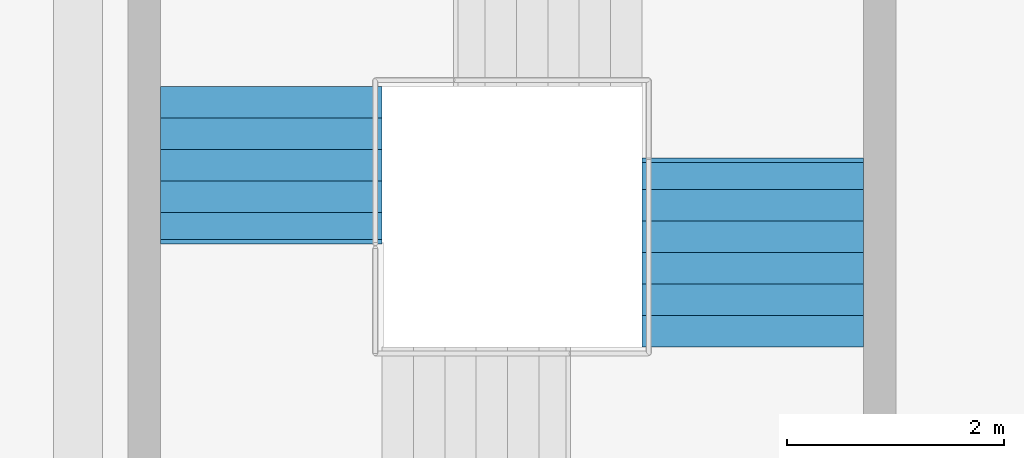
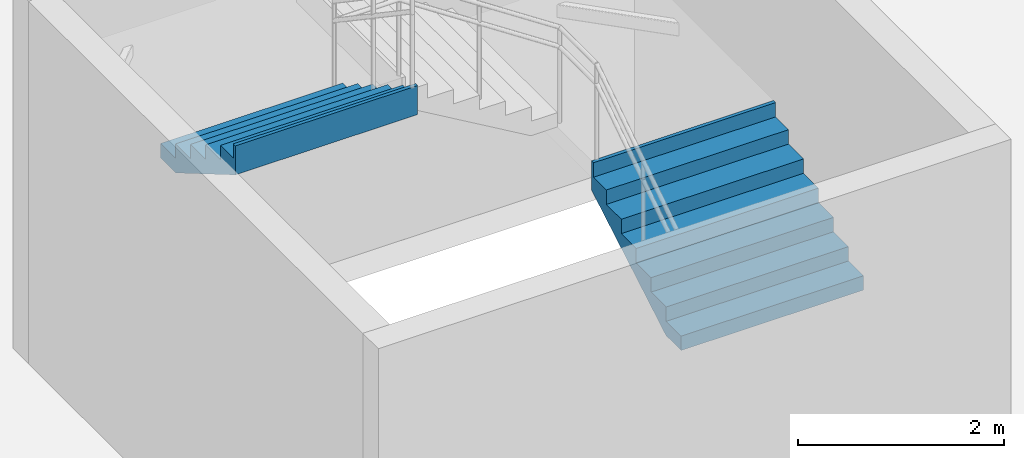
# One storey, part 21 of 32: 2 stair flights, 1 element without a shape of its own.
"""IFC4 building model written with IfcOpenShell, lengths in metres."""

from ifc_helpers import new_model, si_unit, direction, frame, origin, place, context, subcontext, project, spatial, triangles, material, type_object, element, aggregate, save


model = new_model("IFC4")

# Units and contexts
model_context = context("Model", 3, precision=1e-05, world=origin(), true_north=direction((0.0, 1.0)))
body_context = subcontext(model_context, "Body", "Model", "MODEL_VIEW")
ifc_project = project(units=[si_unit("LENGTHUNIT", "METRE"), si_unit("AREAUNIT", "SQUARE_METRE"), si_unit("VOLUMEUNIT", "CUBIC_METRE"), si_unit("PLANEANGLEUNIT", "RADIAN"), si_unit("MASSUNIT", "GRAM", prefix="KILO")], contexts=[model_context])

# Site, building, storey
site_placement = place(None, origin())
site = spatial("IfcSite", under=ifc_project, at=site_placement, CompositionType="ELEMENT")
building_placement = place(site_placement, origin())
building = spatial("IfcBuilding", under=site, at=building_placement, Name="Sillaruma Civic Art Gallery", CompositionType="ELEMENT")
storey_placement = place(building_placement, frame((0.0, 0.0, -4.590087890625)))
storey = spatial("IfcBuildingStorey", under=building, at=storey_placement, Name="B01", CompositionType="ELEMENT", Elevation=-4.590087890625)

# Stair, stair flights
ifc_material = material(Name="Concrete H35 (35 MPa)", Category="concrete")
stair_type = type_object("IfcStairType", Name="STR-4F-27", PredefinedType="USERDEFINED", material=ifc_material)
stair_placement = place(storey_placement, origin())
stair = element("IfcStair", 1, at=stair_placement, inside=storey, type_object=stair_type, Name="Protected Exit Stair ST-01 (West Wing) (B01)", ObjectType="THREE_RETURN_STAIR", PredefinedType="USERDEFINED")
stair_flight_type_1 = type_object("IfcStairFlightType", Name="SFL-STR-6", PredefinedType="STRAIGHT", material=ifc_material)
stair_flight_1_placement = place(storey_placement, frame((26.580078125, 105.139892578125, 3.570068359375), z_axis=(0.0, 0.0, 1.0), x_axis=(0.0, -1.0, 0.0)))
stair_flight_1 = element("IfcStairFlight", 2, at=stair_flight_1_placement, type_object=stair_flight_type_1, Name="ST-01 flight 4", NumberOfRisers=6, NumberOfTreads=5, PredefinedType="STRAIGHT", RiserHeight=0.17, TreadLength=0.29, context=body_context, shape_type="Tessellation", body=[
    triangles([(0.0, -1.02001953125, 0.0), (0.29, -1.02001953125, 0.0), (0.296365, -1.02001953125, 0.0), (0.58, -1.02001953125, 0.166269), (0.87, -1.02001953125, 0.336269), (1.16, -1.02001953125, 0.506269), (1.409951, -1.02001953125, 0.652792), (1.449951, -1.02001953125, 0.67624), (1.449951, -1.02001953125, 1.02), (1.409951, -1.02001953125, 1.02), (1.409951, -1.02001953125, 0.85), (1.16, -1.02001953125, 0.85), (1.16, -1.02001953125, 0.68), (0.87, -1.02001953125, 0.68), (0.87, -1.02001953125, 0.51), (0.58, -1.02001953125, 0.51), (0.58, -1.02001953125, 0.34), (0.296365, -1.02001953125, 0.34), (0.29, -1.02001953125, 0.34), (0.29, -1.02001953125, 0.17), (0.0, -1.02001953125, 0.17), (0.0, -0.05, 0.0), (0.29, -0.05, 0.0), (0.296365, -0.05, 0.0), (0.58, -0.05, 0.166269), (0.87, -0.05, 0.336269), (1.16, -0.05, 0.506269), (1.409951, -0.05, 0.652792), (1.449951, -0.05, 0.67624), (1.449951, -0.05, 1.02), (1.409951, -0.05, 1.02), (1.409951, -0.05, 0.85), (1.16, -0.05, 0.85), (1.16, -0.05, 0.68), (0.87, -0.05, 0.68), (0.87, -0.05, 0.51), (0.58, -0.05, 0.51), (0.58, -0.05, 0.34), (0.296365, -0.05, 0.34), (0.29, -0.05, 0.34), (0.29, -0.05, 0.17), (0.0, -0.05, 0.17), (0.0, -0.0375, 0.0), (0.29, -0.0375, 0.0), (0.296365, -0.0375, 0.0), (0.58, -0.0375, 0.166269), (0.87, -0.0375, 0.336269), (1.16, -0.0375, 0.506269), (1.409951, -0.0375, 0.652792), (1.449951, -0.0375, 0.67624), (1.449951, -0.0375, 1.02), (1.409951, -0.0375, 1.02), (1.409951, -0.0375, 0.85), (1.16, -0.0375, 0.85), (1.16, -0.0375, 0.68), (0.87, -0.0375, 0.68), (0.87, -0.0375, 0.51), (0.58, -0.0375, 0.51), (0.58, -0.0375, 0.34), (0.296365, -0.0375, 0.34), (0.29, -0.0375, 0.34), (0.29, -0.0375, 0.17), (0.0, -0.0375, 0.17), (0.0, -0.025, 0.0), (0.29, -0.025, 0.0), (0.296365, -0.025, 0.0), (0.58, -0.025, 0.166269), (0.87, -0.025, 0.336269), (1.16, -0.025, 0.506269), (1.409951, -0.025, 0.652792), (1.449951, -0.025, 0.67624), (1.449951, -0.025, 1.02), (1.409951, -0.025, 1.02), (1.409951, -0.025, 0.85), (1.16, -0.025, 0.85), (1.16, -0.025, 0.68), (0.87, -0.025, 0.68), (0.87, -0.025, 0.51), (0.58, -0.025, 0.51), (0.58, -0.025, 0.34), (0.296365, -0.025, 0.34), (0.29, -0.025, 0.34), (0.29, -0.025, 0.17), (0.0, -0.025, 0.17), (0.0, -0.0125, 0.0), (0.29, -0.0125, 0.0), (0.296365, -0.0125, 0.0), (0.58, -0.0125, 0.166269), (0.87, -0.0125, 0.336269), (1.16, -0.0125, 0.506269), (1.409951, -0.0125, 0.652792), (1.449951, -0.0125, 0.67624), (1.449951, -0.0125, 1.02), (1.409951, -0.0125, 1.02), (1.409951, -0.0125, 0.85), (1.16, -0.0125, 0.85), (1.16, -0.0125, 0.68), (0.87, -0.0125, 0.68), (0.87, -0.0125, 0.51), (0.58, -0.0125, 0.51), (0.58, -0.0125, 0.34), (0.296365, -0.0125, 0.34), (0.29, -0.0125, 0.34), (0.29, -0.0125, 0.17), (0.0, -0.0125, 0.17), (0.0, 0.0, 0.0), (0.29, 0.0, 0.0), (0.296365, 0.0, 0.0), (0.58, 0.0, 0.166269), (0.87, 0.0, 0.336269), (1.16, 0.0, 0.506269), (1.409951, 0.0, 0.652792), (1.449951, 0.0, 0.67624), (1.449951, 0.0, 1.02), (1.409951, 0.0, 1.02), (1.409951, 0.0, 0.85), (1.16, 0.0, 0.85), (1.16, 0.0, 0.68), (0.87, 0.0, 0.68), (0.87, 0.0, 0.51), (0.58, 0.0, 0.51), (0.58, 0.0, 0.34), (0.296365, 0.0, 0.34), (0.29, 0.0, 0.34), (0.29, 0.0, 0.17), (0.0, 0.0, 0.17), (0.0, 0.0125, 0.0), (0.29, 0.0125, 0.0), (0.296365, 0.0125, 0.0), (0.58, 0.0125, 0.166269), (0.87, 0.0125, 0.336269), (1.16, 0.0125, 0.506269), (1.409951, 0.0125, 0.652792), (1.449951, 0.0125, 0.67624), (1.449951, 0.0125, 1.02), (1.409951, 0.0125, 1.02), (1.409951, 0.0125, 0.85), (1.16, 0.0125, 0.85), (1.16, 0.0125, 0.68), (0.87, 0.0125, 0.68), (0.87, 0.0125, 0.51), (0.58, 0.0125, 0.51), (0.58, 0.0125, 0.34), (0.296365, 0.0125, 0.34), (0.29, 0.0125, 0.34), (0.29, 0.0125, 0.17), (0.0, 0.0125, 0.17), (0.0, 0.025, 0.0), (0.29, 0.025, 0.0), (0.296365, 0.025, 0.0), (0.58, 0.025, 0.166269), (0.87, 0.025, 0.336269), (1.16, 0.025, 0.506269), (1.409951, 0.025, 0.652792), (1.449951, 0.025, 0.67624), (1.449951, 0.025, 1.02), (1.409951, 0.025, 1.02), (1.409951, 0.025, 0.85), (1.16, 0.025, 0.85), (1.16, 0.025, 0.68), (0.87, 0.025, 0.68), (0.87, 0.025, 0.51), (0.58, 0.025, 0.51), (0.58, 0.025, 0.34), (0.296365, 0.025, 0.34), (0.29, 0.025, 0.34), (0.29, 0.025, 0.17), (0.0, 0.025, 0.17), (0.0, 0.0375, 0.0), (0.29, 0.0375, 0.0), (0.296365, 0.0375, 0.0), (0.58, 0.0375, 0.166269), (0.87, 0.0375, 0.336269), (1.16, 0.0375, 0.506269), (1.409951, 0.0375, 0.652792), (1.449951, 0.0375, 0.67624), (1.449951, 0.0375, 1.02), (1.409951, 0.0375, 1.02), (1.409951, 0.0375, 0.85), (1.16, 0.0375, 0.85), (1.16, 0.0375, 0.68), (0.87, 0.0375, 0.68), (0.87, 0.0375, 0.51), (0.58, 0.0375, 0.51), (0.58, 0.0375, 0.34), (0.296365, 0.0375, 0.34), (0.29, 0.0375, 0.34), (0.29, 0.0375, 0.17), (0.0, 0.0375, 0.17), (0.0, 0.05, 0.0), (0.29, 0.05, 0.0), (0.296365, 0.05, 0.0), (0.58, 0.05, 0.166269), (0.87, 0.05, 0.336269), (1.16, 0.05, 0.506269), (1.409951, 0.05, 0.652792), (1.449951, 0.05, 0.67624), (1.449951, 0.05, 1.02), (1.409951, 0.05, 1.02), (1.409951, 0.05, 0.85), (1.16, 0.05, 0.85), (1.16, 0.05, 0.68), (0.87, 0.05, 0.68), (0.87, 0.05, 0.51), (0.58, 0.05, 0.51), (0.58, 0.05, 0.34), (0.296365, 0.05, 0.34), (0.29, 0.05, 0.34), (0.29, 0.05, 0.17), (0.0, 0.05, 0.17), (0.0, 1.02001953125, 0.0), (0.29, 1.02001953125, 0.0), (0.296365, 1.02001953125, 0.0), (0.58, 1.02001953125, 0.166269), (0.87, 1.02001953125, 0.336269), (1.16, 1.02001953125, 0.506269), (1.409951, 1.02001953125, 0.652792), (1.449951, 1.02001953125, 0.67624), (1.449951, 1.02001953125, 1.02), (1.409951, 1.02001953125, 1.02), (1.409951, 1.02001953125, 0.85), (1.16, 1.02001953125, 0.85), (1.16, 1.02001953125, 0.68), (0.87, 1.02001953125, 0.68), (0.87, 1.02001953125, 0.51), (0.58, 1.02001953125, 0.51), (0.58, 1.02001953125, 0.34), (0.296365, 1.02001953125, 0.34), (0.29, 1.02001953125, 0.34), (0.29, 1.02001953125, 0.17), (0.0, 1.02001953125, 0.17)], [[1, 2, 20], [1, 20, 21], [2, 3, 18], [2, 18, 20], [20, 18, 19], [3, 4, 17], [3, 17, 18], [4, 5, 15], [4, 15, 17], [17, 15, 16], [5, 6, 13], [5, 13, 15], [15, 13, 14], [6, 7, 11], [6, 11, 13], [13, 11, 12], [7, 8, 9], [7, 9, 11], [11, 9, 10], [230, 212, 211], [231, 230, 211], [228, 213, 212], [230, 228, 212], [229, 228, 230], [227, 214, 213], [228, 227, 213], [225, 215, 214], [227, 225, 214], [226, 225, 227], [223, 216, 215], [225, 223, 215], [224, 223, 225], [221, 217, 216], [223, 221, 216], [222, 221, 223], [219, 218, 217], [221, 219, 217], [220, 219, 221], [2, 1, 22], [2, 22, 23], [3, 2, 23], [3, 23, 24], [4, 3, 24], [4, 24, 25], [5, 4, 25], [5, 25, 26], [6, 5, 26], [6, 26, 27], [7, 6, 27], [7, 27, 28], [8, 7, 28], [8, 28, 29], [9, 8, 29], [9, 29, 30], [10, 9, 30], [10, 30, 31], [11, 10, 31], [11, 31, 32], [12, 11, 32], [12, 32, 33], [13, 12, 33], [13, 33, 34], [14, 13, 34], [14, 34, 35], [15, 14, 35], [15, 35, 36], [16, 15, 36], [16, 36, 37], [17, 16, 37], [17, 37, 38], [18, 17, 38], [18, 38, 39], [19, 18, 39], [19, 39, 40], [20, 19, 40], [20, 40, 41], [21, 20, 41], [21, 41, 42], [1, 21, 42], [1, 42, 22], [23, 22, 43], [23, 43, 44], [24, 23, 44], [24, 44, 45], [25, 24, 45], [25, 45, 46], [26, 25, 46], [26, 46, 47], [27, 26, 47], [27, 47, 48], [28, 27, 48], [28, 48, 49], [29, 28, 49], [29, 49, 50], [30, 29, 50], [30, 50, 51], [31, 30, 51], [31, 51, 52], [32, 31, 52], [32, 52, 53], [33, 32, 53], [33, 53, 54], [34, 33, 54], [34, 54, 55], [35, 34, 55], [35, 55, 56], [36, 35, 56], [36, 56, 57], [37, 36, 57], [37, 57, 58], [38, 37, 58], [38, 58, 59], [39, 38, 59], [39, 59, 60], [40, 39, 60], [40, 60, 61], [41, 40, 61], [41, 61, 62], [42, 41, 62], [42, 62, 63], [22, 42, 63], [22, 63, 43], [44, 43, 64], [44, 64, 65], [45, 44, 65], [45, 65, 66], [46, 45, 66], [46, 66, 67], [47, 46, 67], [47, 67, 68], [48, 47, 68], [48, 68, 69], [49, 48, 69], [49, 69, 70], [50, 49, 70], [50, 70, 71], [51, 50, 71], [51, 71, 72], [52, 51, 72], [52, 72, 73], [53, 52, 73], [53, 73, 74], [54, 53, 74], [54, 74, 75], [55, 54, 75], [55, 75, 76], [56, 55, 76], [56, 76, 77], [57, 56, 77], [57, 77, 78], [58, 57, 78], [58, 78, 79], [59, 58, 79], [59, 79, 80], [60, 59, 80], [60, 80, 81], [61, 60, 81], [61, 81, 82], [62, 61, 82], [62, 82, 83], [63, 62, 83], [63, 83, 84], [43, 63, 84], [43, 84, 64], [65, 64, 85], [65, 85, 86], [66, 65, 86], [66, 86, 87], [67, 66, 87], [67, 87, 88], [68, 67, 88], [68, 88, 89], [69, 68, 89], [69, 89, 90], [70, 69, 90], [70, 90, 91], [71, 70, 91], [71, 91, 92], [72, 71, 92], [72, 92, 93], [73, 72, 93], [73, 93, 94], [74, 73, 94], [74, 94, 95], [75, 74, 95], [75, 95, 96], [76, 75, 96], [76, 96, 97], [77, 76, 97], [77, 97, 98], [78, 77, 98], [78, 98, 99], [79, 78, 99], [79, 99, 100], [80, 79, 100], [80, 100, 101], [81, 80, 101], [81, 101, 102], [82, 81, 102], [82, 102, 103], [83, 82, 103], [83, 103, 104], [84, 83, 104], [84, 104, 105], [64, 84, 105], [64, 105, 85], [86, 85, 106], [86, 106, 107], [87, 86, 107], [87, 107, 108], [88, 87, 108], [88, 108, 109], [89, 88, 109], [89, 109, 110], [90, 89, 110], [90, 110, 111], [91, 90, 111], [91, 111, 112], [92, 91, 112], [92, 112, 113], [93, 92, 113], [93, 113, 114], [94, 93, 114], [94, 114, 115], [95, 94, 115], [95, 115, 116], [96, 95, 116], [96, 116, 117], [97, 96, 117], [97, 117, 118], [98, 97, 118], [98, 118, 119], [99, 98, 119], [99, 119, 120], [100, 99, 120], [100, 120, 121], [101, 100, 121], [101, 121, 122], [102, 101, 122], [102, 122, 123], [103, 102, 123], [103, 123, 124], [104, 103, 124], [104, 124, 125], [105, 104, 125], [105, 125, 126], [85, 105, 126], [85, 126, 106], [107, 106, 127], [107, 127, 128], [108, 107, 128], [108, 128, 129], [109, 108, 129], [109, 129, 130], [110, 109, 130], [110, 130, 131], [111, 110, 131], [111, 131, 132], [112, 111, 132], [112, 132, 133], [113, 112, 133], [113, 133, 134], [114, 113, 134], [114, 134, 135], [115, 114, 135], [115, 135, 136], [116, 115, 136], [116, 136, 137], [117, 116, 137], [117, 137, 138], [118, 117, 138], [118, 138, 139], [119, 118, 139], [119, 139, 140], [120, 119, 140], [120, 140, 141], [121, 120, 141], [121, 141, 142], [122, 121, 142], [122, 142, 143], [123, 122, 143], [123, 143, 144], [124, 123, 144], [124, 144, 145], [125, 124, 145], [125, 145, 146], [126, 125, 146], [126, 146, 147], [106, 126, 147], [106, 147, 127], [128, 127, 148], [128, 148, 149], [129, 128, 149], [129, 149, 150], [130, 129, 150], [130, 150, 151], [131, 130, 151], [131, 151, 152], [132, 131, 152], [132, 152, 153], [133, 132, 153], [133, 153, 154], [134, 133, 154], [134, 154, 155], [135, 134, 155], [135, 155, 156], [136, 135, 156], [136, 156, 157], [137, 136, 157], [137, 157, 158], [138, 137, 158], [138, 158, 159], [139, 138, 159], [139, 159, 160], [140, 139, 160], [140, 160, 161], [141, 140, 161], [141, 161, 162], [142, 141, 162], [142, 162, 163], [143, 142, 163], [143, 163, 164], [144, 143, 164], [144, 164, 165], [145, 144, 165], [145, 165, 166], [146, 145, 166], [146, 166, 167], [147, 146, 167], [147, 167, 168], [127, 147, 168], [127, 168, 148], [149, 148, 169], [149, 169, 170], [150, 149, 170], [150, 170, 171], [151, 150, 171], [151, 171, 172], [152, 151, 172], [152, 172, 173], [153, 152, 173], [153, 173, 174], [154, 153, 174], [154, 174, 175], [155, 154, 175], [155, 175, 176], [156, 155, 176], [156, 176, 177], [157, 156, 177], [157, 177, 178], [158, 157, 178], [158, 178, 179], [159, 158, 179], [159, 179, 180], [160, 159, 180], [160, 180, 181], [161, 160, 181], [161, 181, 182], [162, 161, 182], [162, 182, 183], [163, 162, 183], [163, 183, 184], [164, 163, 184], [164, 184, 185], [165, 164, 185], [165, 185, 186], [166, 165, 186], [166, 186, 187], [167, 166, 187], [167, 187, 188], [168, 167, 188], [168, 188, 189], [148, 168, 189], [148, 189, 169], [170, 169, 190], [170, 190, 191], [171, 170, 191], [171, 191, 192], [172, 171, 192], [172, 192, 193], [173, 172, 193], [173, 193, 194], [174, 173, 194], [174, 194, 195], [175, 174, 195], [175, 195, 196], [176, 175, 196], [176, 196, 197], [177, 176, 197], [177, 197, 198], [178, 177, 198], [178, 198, 199], [179, 178, 199], [179, 199, 200], [180, 179, 200], [180, 200, 201], [181, 180, 201], [181, 201, 202], [182, 181, 202], [182, 202, 203], [183, 182, 203], [183, 203, 204], [184, 183, 204], [184, 204, 205], [185, 184, 205], [185, 205, 206], [186, 185, 206], [186, 206, 207], [187, 186, 207], [187, 207, 208], [188, 187, 208], [188, 208, 209], [189, 188, 209], [189, 209, 210], [169, 189, 210], [169, 210, 190], [191, 190, 211], [191, 211, 212], [192, 191, 212], [192, 212, 213], [193, 192, 213], [193, 213, 214], [194, 193, 214], [194, 214, 215], [195, 194, 215], [195, 215, 216], [196, 195, 216], [196, 216, 217], [197, 196, 217], [197, 217, 218], [198, 197, 218], [198, 218, 219], [199, 198, 219], [199, 219, 220], [200, 199, 220], [200, 220, 221], [201, 200, 221], [201, 221, 222], [202, 201, 222], [202, 222, 223], [203, 202, 223], [203, 223, 224], [204, 203, 224], [204, 224, 225], [205, 204, 225], [205, 225, 226], [206, 205, 226], [206, 226, 227], [207, 206, 227], [207, 227, 228], [208, 207, 228], [208, 228, 229], [209, 208, 229], [209, 229, 230], [210, 209, 230], [210, 230, 231], [190, 210, 231], [190, 231, 211]], closed=True),
])
stair_flight_type_2 = type_object("IfcStairFlightType", Name="SFL-STR-7", PredefinedType="STRAIGHT", material=ifc_material)
stair_flight_2_placement = place(storey_placement, frame((31.02001953125, 102.739990234375, 1.190185546875), z_axis=(0.0, 0.0, 1.0), x_axis=(0.0, 1.0, 0.0)))
stair_flight_2 = element("IfcStairFlight", 3, at=stair_flight_2_placement, type_object=stair_flight_type_2, Name="ST-01 flight 2", NumberOfRisers=7, NumberOfTreads=6, PredefinedType="STRAIGHT", RiserHeight=0.17, TreadLength=0.29, context=body_context, shape_type="Tessellation", body=[
    triangles([(0.0, -1.02001953125, 0.0), (0.29, -1.02001953125, 0.0), (0.296404, -1.02001953125, 0.0), (0.58, -1.02001953125, 0.166246), (0.87, -1.02001953125, 0.336246), (1.16, -1.02001953125, 0.506246), (1.45, -1.02001953125, 0.676246), (1.69999, -1.02001953125, 0.822792), (1.73999, -1.02001953125, 0.84624), (1.73999, -1.02001953125, 1.19), (1.69999, -1.02001953125, 1.19), (1.69999, -1.02001953125, 1.02), (1.45, -1.02001953125, 1.02), (1.45, -1.02001953125, 0.85), (1.16, -1.02001953125, 0.85), (1.16, -1.02001953125, 0.68), (0.87, -1.02001953125, 0.68), (0.87, -1.02001953125, 0.51), (0.58, -1.02001953125, 0.51), (0.58, -1.02001953125, 0.34), (0.296404, -1.02001953125, 0.34), (0.29, -1.02001953125, 0.34), (0.29, -1.02001953125, 0.17), (0.0, -1.02001953125, 0.17), (0.0, -0.05, 0.0), (0.29, -0.05, 0.0), (0.296404, -0.05, 0.0), (0.58, -0.05, 0.166246), (0.87, -0.05, 0.336246), (1.16, -0.05, 0.506246), (1.45, -0.05, 0.676246), (1.69999, -0.05, 0.822792), (1.73999, -0.05, 0.84624), (1.73999, -0.05, 1.19), (1.69999, -0.05, 1.19), (1.69999, -0.05, 1.02), (1.45, -0.05, 1.02), (1.45, -0.05, 0.85), (1.16, -0.05, 0.85), (1.16, -0.05, 0.68), (0.87, -0.05, 0.68), (0.87, -0.05, 0.51), (0.58, -0.05, 0.51), (0.58, -0.05, 0.34), (0.296404, -0.05, 0.34), (0.29, -0.05, 0.34), (0.29, -0.05, 0.17), (0.0, -0.05, 0.17), (0.0, -0.0375, 0.0), (0.29, -0.0375, 0.0), (0.296404, -0.0375, 0.0), (0.58, -0.0375, 0.166246), (0.87, -0.0375, 0.336246), (1.16, -0.0375, 0.506246), (1.45, -0.0375, 0.676246), (1.69999, -0.0375, 0.822792), (1.73999, -0.0375, 0.84624), (1.73999, -0.0375, 1.19), (1.69999, -0.0375, 1.19), (1.69999, -0.0375, 1.02), (1.45, -0.0375, 1.02), (1.45, -0.0375, 0.85), (1.16, -0.0375, 0.85), (1.16, -0.0375, 0.68), (0.87, -0.0375, 0.68), (0.87, -0.0375, 0.51), (0.58, -0.0375, 0.51), (0.58, -0.0375, 0.34), (0.296404, -0.0375, 0.34), (0.29, -0.0375, 0.34), (0.29, -0.0375, 0.17), (0.0, -0.0375, 0.17), (0.0, -0.025, 0.0), (0.29, -0.025, 0.0), (0.296404, -0.025, 0.0), (0.58, -0.025, 0.166246), (0.87, -0.025, 0.336246), (1.16, -0.025, 0.506246), (1.45, -0.025, 0.676246), (1.69999, -0.025, 0.822792), (1.73999, -0.025, 0.84624), (1.73999, -0.025, 1.19), (1.69999, -0.025, 1.19), (1.69999, -0.025, 1.02), (1.45, -0.025, 1.02), (1.45, -0.025, 0.85), (1.16, -0.025, 0.85), (1.16, -0.025, 0.68), (0.87, -0.025, 0.68), (0.87, -0.025, 0.51), (0.58, -0.025, 0.51), (0.58, -0.025, 0.34), (0.296404, -0.025, 0.34), (0.29, -0.025, 0.34), (0.29, -0.025, 0.17), (0.0, -0.025, 0.17), (0.0, -0.0125, 0.0), (0.29, -0.0125, 0.0), (0.296404, -0.0125, 0.0), (0.58, -0.0125, 0.166246), (0.87, -0.0125, 0.336246), (1.16, -0.0125, 0.506246), (1.45, -0.0125, 0.676246), (1.69999, -0.0125, 0.822792), (1.73999, -0.0125, 0.84624), (1.73999, -0.0125, 1.19), (1.69999, -0.0125, 1.19), (1.69999, -0.0125, 1.02), (1.45, -0.0125, 1.02), (1.45, -0.0125, 0.85), (1.16, -0.0125, 0.85), (1.16, -0.0125, 0.68), (0.87, -0.0125, 0.68), (0.87, -0.0125, 0.51), (0.58, -0.0125, 0.51), (0.58, -0.0125, 0.34), (0.296404, -0.0125, 0.34), (0.29, -0.0125, 0.34), (0.29, -0.0125, 0.17), (0.0, -0.0125, 0.17), (0.0, 0.0, 0.0), (0.29, 0.0, 0.0), (0.296404, 0.0, 0.0), (0.58, 0.0, 0.166246), (0.87, 0.0, 0.336246), (1.16, 0.0, 0.506246), (1.45, 0.0, 0.676246), (1.69999, 0.0, 0.822792), (1.73999, 0.0, 0.84624), (1.73999, 0.0, 1.19), (1.69999, 0.0, 1.19), (1.69999, 0.0, 1.02), (1.45, 0.0, 1.02), (1.45, 0.0, 0.85), (1.16, 0.0, 0.85), (1.16, 0.0, 0.68), (0.87, 0.0, 0.68), (0.87, 0.0, 0.51), (0.58, 0.0, 0.51), (0.58, 0.0, 0.34), (0.296404, 0.0, 0.34), (0.29, 0.0, 0.34), (0.29, 0.0, 0.17), (0.0, 0.0, 0.17), (0.0, 0.0125, 0.0), (0.29, 0.0125, 0.0), (0.296404, 0.0125, 0.0), (0.58, 0.0125, 0.166246), (0.87, 0.0125, 0.336246), (1.16, 0.0125, 0.506246), (1.45, 0.0125, 0.676246), (1.69999, 0.0125, 0.822792), (1.73999, 0.0125, 0.84624), (1.73999, 0.0125, 1.19), (1.69999, 0.0125, 1.19), (1.69999, 0.0125, 1.02), (1.45, 0.0125, 1.02), (1.45, 0.0125, 0.85), (1.16, 0.0125, 0.85), (1.16, 0.0125, 0.68), (0.87, 0.0125, 0.68), (0.87, 0.0125, 0.51), (0.58, 0.0125, 0.51), (0.58, 0.0125, 0.34), (0.296404, 0.0125, 0.34), (0.29, 0.0125, 0.34), (0.29, 0.0125, 0.17), (0.0, 0.0125, 0.17), (0.0, 0.025, 0.0), (0.29, 0.025, 0.0), (0.296404, 0.025, 0.0), (0.58, 0.025, 0.166246), (0.87, 0.025, 0.336246), (1.16, 0.025, 0.506246), (1.45, 0.025, 0.676246), (1.69999, 0.025, 0.822792), (1.73999, 0.025, 0.84624), (1.73999, 0.025, 1.19), (1.69999, 0.025, 1.19), (1.69999, 0.025, 1.02), (1.45, 0.025, 1.02), (1.45, 0.025, 0.85), (1.16, 0.025, 0.85), (1.16, 0.025, 0.68), (0.87, 0.025, 0.68), (0.87, 0.025, 0.51), (0.58, 0.025, 0.51), (0.58, 0.025, 0.34), (0.296404, 0.025, 0.34), (0.29, 0.025, 0.34), (0.29, 0.025, 0.17), (0.0, 0.025, 0.17), (0.0, 0.0375, 0.0), (0.29, 0.0375, 0.0), (0.296404, 0.0375, 0.0), (0.58, 0.0375, 0.166246), (0.87, 0.0375, 0.336246), (1.16, 0.0375, 0.506246), (1.45, 0.0375, 0.676246), (1.69999, 0.0375, 0.822792), (1.73999, 0.0375, 0.84624), (1.73999, 0.0375, 1.19), (1.69999, 0.0375, 1.19), (1.69999, 0.0375, 1.02), (1.45, 0.0375, 1.02), (1.45, 0.0375, 0.85), (1.16, 0.0375, 0.85), (1.16, 0.0375, 0.68), (0.87, 0.0375, 0.68), (0.87, 0.0375, 0.51), (0.58, 0.0375, 0.51), (0.58, 0.0375, 0.34), (0.296404, 0.0375, 0.34), (0.29, 0.0375, 0.34), (0.29, 0.0375, 0.17), (0.0, 0.0375, 0.17), (0.0, 0.05, 0.0), (0.29, 0.05, 0.0), (0.296404, 0.05, 0.0), (0.58, 0.05, 0.166246), (0.87, 0.05, 0.336246), (1.16, 0.05, 0.506246), (1.45, 0.05, 0.676246), (1.69999, 0.05, 0.822792), (1.73999, 0.05, 0.84624), (1.73999, 0.05, 1.19), (1.69999, 0.05, 1.19), (1.69999, 0.05, 1.02), (1.45, 0.05, 1.02), (1.45, 0.05, 0.85), (1.16, 0.05, 0.85), (1.16, 0.05, 0.68), (0.87, 0.05, 0.68), (0.87, 0.05, 0.51), (0.58, 0.05, 0.51), (0.58, 0.05, 0.34), (0.296404, 0.05, 0.34), (0.29, 0.05, 0.34), (0.29, 0.05, 0.17), (0.0, 0.05, 0.17), (0.0, 1.02001953125, 0.0), (0.29, 1.02001953125, 0.0), (0.296404, 1.02001953125, 0.0), (0.58, 1.02001953125, 0.166246), (0.87, 1.02001953125, 0.336246), (1.16, 1.02001953125, 0.506246), (1.45, 1.02001953125, 0.676246), (1.69999, 1.02001953125, 0.822792), (1.73999, 1.02001953125, 0.84624), (1.73999, 1.02001953125, 1.19), (1.69999, 1.02001953125, 1.19), (1.69999, 1.02001953125, 1.02), (1.45, 1.02001953125, 1.02), (1.45, 1.02001953125, 0.85), (1.16, 1.02001953125, 0.85), (1.16, 1.02001953125, 0.68), (0.87, 1.02001953125, 0.68), (0.87, 1.02001953125, 0.51), (0.58, 1.02001953125, 0.51), (0.58, 1.02001953125, 0.34), (0.296404, 1.02001953125, 0.34), (0.29, 1.02001953125, 0.34), (0.29, 1.02001953125, 0.17), (0.0, 1.02001953125, 0.17)], [[1, 2, 23], [1, 23, 24], [2, 3, 21], [2, 21, 23], [23, 21, 22], [3, 4, 20], [3, 20, 21], [4, 5, 18], [4, 18, 20], [20, 18, 19], [5, 6, 16], [5, 16, 18], [18, 16, 17], [6, 7, 14], [6, 14, 16], [16, 14, 15], [7, 8, 12], [7, 12, 14], [14, 12, 13], [8, 9, 10], [8, 10, 12], [12, 10, 11], [263, 242, 241], [264, 263, 241], [261, 243, 242], [263, 261, 242], [262, 261, 263], [260, 244, 243], [261, 260, 243], [258, 245, 244], [260, 258, 244], [259, 258, 260], [256, 246, 245], [258, 256, 245], [257, 256, 258], [254, 247, 246], [256, 254, 246], [255, 254, 256], [252, 248, 247], [254, 252, 247], [253, 252, 254], [250, 249, 248], [252, 250, 248], [251, 250, 252], [2, 1, 25], [2, 25, 26], [3, 2, 26], [3, 26, 27], [4, 3, 27], [4, 27, 28], [5, 4, 28], [5, 28, 29], [6, 5, 29], [6, 29, 30], [7, 6, 30], [7, 30, 31], [8, 7, 31], [8, 31, 32], [9, 8, 32], [9, 32, 33], [10, 9, 33], [10, 33, 34], [11, 10, 34], [11, 34, 35], [12, 11, 35], [12, 35, 36], [13, 12, 36], [13, 36, 37], [14, 13, 37], [14, 37, 38], [15, 14, 38], [15, 38, 39], [16, 15, 39], [16, 39, 40], [17, 16, 40], [17, 40, 41], [18, 17, 41], [18, 41, 42], [19, 18, 42], [19, 42, 43], [20, 19, 43], [20, 43, 44], [21, 20, 44], [21, 44, 45], [22, 21, 45], [22, 45, 46], [23, 22, 46], [23, 46, 47], [24, 23, 47], [24, 47, 48], [1, 24, 48], [1, 48, 25], [26, 25, 49], [26, 49, 50], [27, 26, 50], [27, 50, 51], [28, 27, 51], [28, 51, 52], [29, 28, 52], [29, 52, 53], [30, 29, 53], [30, 53, 54], [31, 30, 54], [31, 54, 55], [32, 31, 55], [32, 55, 56], [33, 32, 56], [33, 56, 57], [34, 33, 57], [34, 57, 58], [35, 34, 58], [35, 58, 59], [36, 35, 59], [36, 59, 60], [37, 36, 60], [37, 60, 61], [38, 37, 61], [38, 61, 62], [39, 38, 62], [39, 62, 63], [40, 39, 63], [40, 63, 64], [41, 40, 64], [41, 64, 65], [42, 41, 65], [42, 65, 66], [43, 42, 66], [43, 66, 67], [44, 43, 67], [44, 67, 68], [45, 44, 68], [45, 68, 69], [46, 45, 69], [46, 69, 70], [47, 46, 70], [47, 70, 71], [48, 47, 71], [48, 71, 72], [25, 48, 72], [25, 72, 49], [50, 49, 73], [50, 73, 74], [51, 50, 74], [51, 74, 75], [52, 51, 75], [52, 75, 76], [53, 52, 76], [53, 76, 77], [54, 53, 77], [54, 77, 78], [55, 54, 78], [55, 78, 79], [56, 55, 79], [56, 79, 80], [57, 56, 80], [57, 80, 81], [58, 57, 81], [58, 81, 82], [59, 58, 82], [59, 82, 83], [60, 59, 83], [60, 83, 84], [61, 60, 84], [61, 84, 85], [62, 61, 85], [62, 85, 86], [63, 62, 86], [63, 86, 87], [64, 63, 87], [64, 87, 88], [65, 64, 88], [65, 88, 89], [66, 65, 89], [66, 89, 90], [67, 66, 90], [67, 90, 91], [68, 67, 91], [68, 91, 92], [69, 68, 92], [69, 92, 93], [70, 69, 93], [70, 93, 94], [71, 70, 94], [71, 94, 95], [72, 71, 95], [72, 95, 96], [49, 72, 96], [49, 96, 73], [74, 73, 97], [74, 97, 98], [75, 74, 98], [75, 98, 99], [76, 75, 99], [76, 99, 100], [77, 76, 100], [77, 100, 101], [78, 77, 101], [78, 101, 102], [79, 78, 102], [79, 102, 103], [80, 79, 103], [80, 103, 104], [81, 80, 104], [81, 104, 105], [82, 81, 105], [82, 105, 106], [83, 82, 106], [83, 106, 107], [84, 83, 107], [84, 107, 108], [85, 84, 108], [85, 108, 109], [86, 85, 109], [86, 109, 110], [87, 86, 110], [87, 110, 111], [88, 87, 111], [88, 111, 112], [89, 88, 112], [89, 112, 113], [90, 89, 113], [90, 113, 114], [91, 90, 114], [91, 114, 115], [92, 91, 115], [92, 115, 116], [93, 92, 116], [93, 116, 117], [94, 93, 117], [94, 117, 118], [95, 94, 118], [95, 118, 119], [96, 95, 119], [96, 119, 120], [73, 96, 120], [73, 120, 97], [98, 97, 121], [98, 121, 122], [99, 98, 122], [99, 122, 123], [100, 99, 123], [100, 123, 124], [101, 100, 124], [101, 124, 125], [102, 101, 125], [102, 125, 126], [103, 102, 126], [103, 126, 127], [104, 103, 127], [104, 127, 128], [105, 104, 128], [105, 128, 129], [106, 105, 129], [106, 129, 130], [107, 106, 130], [107, 130, 131], [108, 107, 131], [108, 131, 132], [109, 108, 132], [109, 132, 133], [110, 109, 133], [110, 133, 134], [111, 110, 134], [111, 134, 135], [112, 111, 135], [112, 135, 136], [113, 112, 136], [113, 136, 137], [114, 113, 137], [114, 137, 138], [115, 114, 138], [115, 138, 139], [116, 115, 139], [116, 139, 140], [117, 116, 140], [117, 140, 141], [118, 117, 141], [118, 141, 142], [119, 118, 142], [119, 142, 143], [120, 119, 143], [120, 143, 144], [97, 120, 144], [97, 144, 121], [122, 121, 145], [122, 145, 146], [123, 122, 146], [123, 146, 147], [124, 123, 147], [124, 147, 148], [125, 124, 148], [125, 148, 149], [126, 125, 149], [126, 149, 150], [127, 126, 150], [127, 150, 151], [128, 127, 151], [128, 151, 152], [129, 128, 152], [129, 152, 153], [130, 129, 153], [130, 153, 154], [131, 130, 154], [131, 154, 155], [132, 131, 155], [132, 155, 156], [133, 132, 156], [133, 156, 157], [134, 133, 157], [134, 157, 158], [135, 134, 158], [135, 158, 159], [136, 135, 159], [136, 159, 160], [137, 136, 160], [137, 160, 161], [138, 137, 161], [138, 161, 162], [139, 138, 162], [139, 162, 163], [140, 139, 163], [140, 163, 164], [141, 140, 164], [141, 164, 165], [142, 141, 165], [142, 165, 166], [143, 142, 166], [143, 166, 167], [144, 143, 167], [144, 167, 168], [121, 144, 168], [121, 168, 145], [146, 145, 169], [146, 169, 170], [147, 146, 170], [147, 170, 171], [148, 147, 171], [148, 171, 172], [149, 148, 172], [149, 172, 173], [150, 149, 173], [150, 173, 174], [151, 150, 174], [151, 174, 175], [152, 151, 175], [152, 175, 176], [153, 152, 176], [153, 176, 177], [154, 153, 177], [154, 177, 178], [155, 154, 178], [155, 178, 179], [156, 155, 179], [156, 179, 180], [157, 156, 180], [157, 180, 181], [158, 157, 181], [158, 181, 182], [159, 158, 182], [159, 182, 183], [160, 159, 183], [160, 183, 184], [161, 160, 184], [161, 184, 185], [162, 161, 185], [162, 185, 186], [163, 162, 186], [163, 186, 187], [164, 163, 187], [164, 187, 188], [165, 164, 188], [165, 188, 189], [166, 165, 189], [166, 189, 190], [167, 166, 190], [167, 190, 191], [168, 167, 191], [168, 191, 192], [145, 168, 192], [145, 192, 169], [170, 169, 193], [170, 193, 194], [171, 170, 194], [171, 194, 195], [172, 171, 195], [172, 195, 196], [173, 172, 196], [173, 196, 197], [174, 173, 197], [174, 197, 198], [175, 174, 198], [175, 198, 199], [176, 175, 199], [176, 199, 200], [177, 176, 200], [177, 200, 201], [178, 177, 201], [178, 201, 202], [179, 178, 202], [179, 202, 203], [180, 179, 203], [180, 203, 204], [181, 180, 204], [181, 204, 205], [182, 181, 205], [182, 205, 206], [183, 182, 206], [183, 206, 207], [184, 183, 207], [184, 207, 208], [185, 184, 208], [185, 208, 209], [186, 185, 209], [186, 209, 210], [187, 186, 210], [187, 210, 211], [188, 187, 211], [188, 211, 212], [189, 188, 212], [189, 212, 213], [190, 189, 213], [190, 213, 214], [191, 190, 214], [191, 214, 215], [192, 191, 215], [192, 215, 216], [169, 192, 216], [169, 216, 193], [194, 193, 217], [194, 217, 218], [195, 194, 218], [195, 218, 219], [196, 195, 219], [196, 219, 220], [197, 196, 220], [197, 220, 221], [198, 197, 221], [198, 221, 222], [199, 198, 222], [199, 222, 223], [200, 199, 223], [200, 223, 224], [201, 200, 224], [201, 224, 225], [202, 201, 225], [202, 225, 226], [203, 202, 226], [203, 226, 227], [204, 203, 227], [204, 227, 228], [205, 204, 228], [205, 228, 229], [206, 205, 229], [206, 229, 230], [207, 206, 230], [207, 230, 231], [208, 207, 231], [208, 231, 232], [209, 208, 232], [209, 232, 233], [210, 209, 233], [210, 233, 234], [211, 210, 234], [211, 234, 235], [212, 211, 235], [212, 235, 236], [213, 212, 236], [213, 236, 237], [214, 213, 237], [214, 237, 238], [215, 214, 238], [215, 238, 239], [216, 215, 239], [216, 239, 240], [193, 216, 240], [193, 240, 217], [218, 217, 241], [218, 241, 242], [219, 218, 242], [219, 242, 243], [220, 219, 243], [220, 243, 244], [221, 220, 244], [221, 244, 245], [222, 221, 245], [222, 245, 246], [223, 222, 246], [223, 246, 247], [224, 223, 247], [224, 247, 248], [225, 224, 248], [225, 248, 249], [226, 225, 249], [226, 249, 250], [227, 226, 250], [227, 250, 251], [228, 227, 251], [228, 251, 252], [229, 228, 252], [229, 252, 253], [230, 229, 253], [230, 253, 254], [231, 230, 254], [231, 254, 255], [232, 231, 255], [232, 255, 256], [233, 232, 256], [233, 256, 257], [234, 233, 257], [234, 257, 258], [235, 234, 258], [235, 258, 259], [236, 235, 259], [236, 259, 260], [237, 236, 260], [237, 260, 261], [238, 237, 261], [238, 261, 262], [239, 238, 262], [239, 262, 263], [240, 239, 263], [240, 263, 264], [217, 240, 264], [217, 264, 241]], closed=True),
])
aggregate(stair, [stair_flight_2, stair_flight_1])

save(model, "model.ifc")
